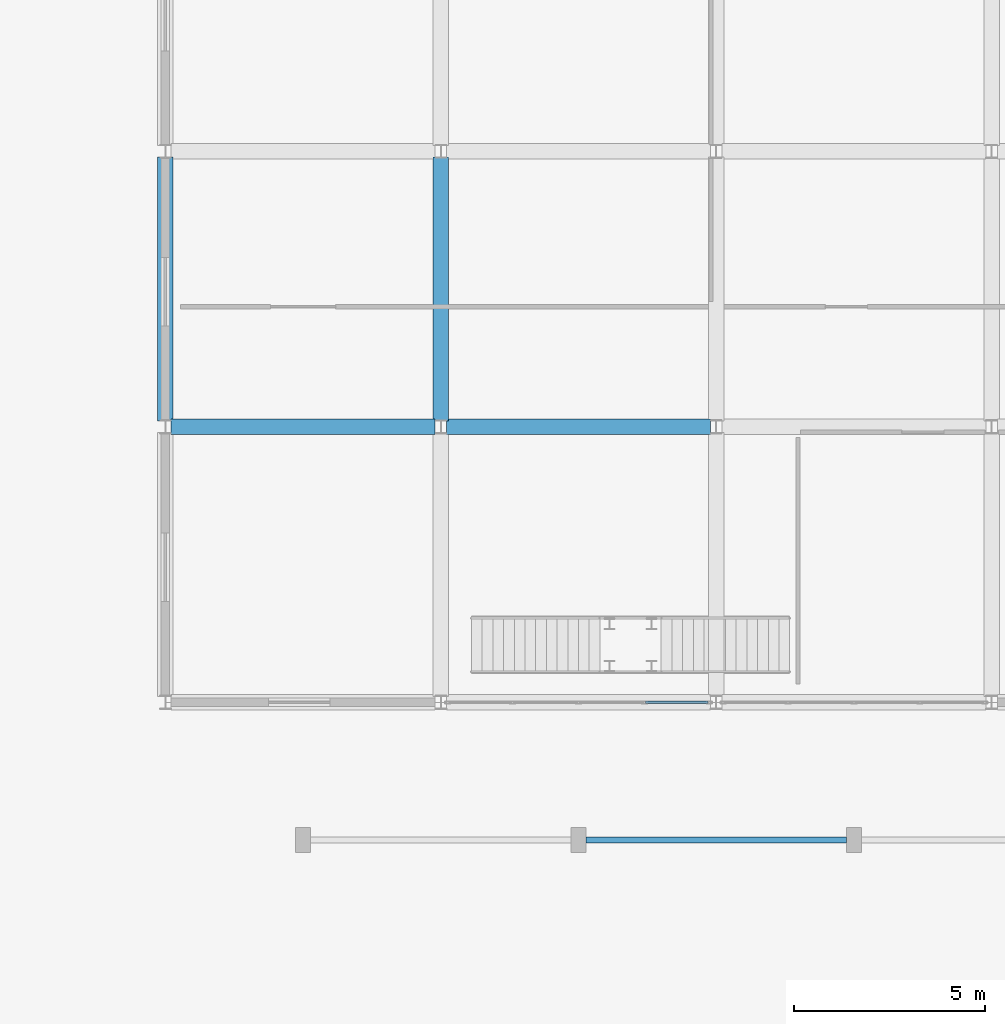
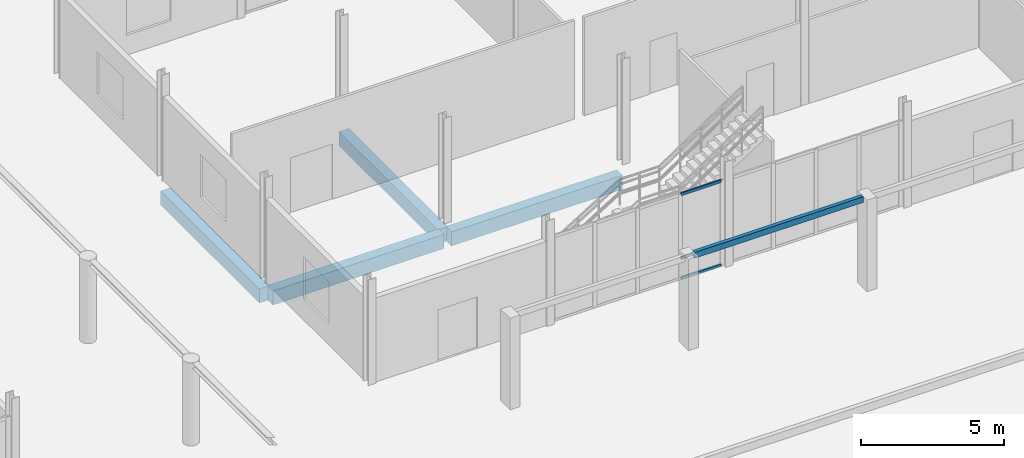
# One storey, part 78 of 139: 5 beams, 3 members, 1 element without a shape of its own.
"""IFC4 building model written with IfcOpenShell, lengths in metres."""

from ifc_helpers import new_model, si_unit, direction, frame, origin, origin_2d, place, context, subcontext, project, spatial, rectangle, hollow_rectangle, extrude, material, material_profile, profile_set, type_object, element, aggregate, save


model = new_model("IFC4")

# Units and contexts
model_context = context("Model", 3, precision=1e-05, world=origin(), true_north=direction((0.0, 1.0)))
body_context = subcontext(model_context, "Body", "Model", "MODEL_VIEW")
ifc_project = project(units=[si_unit("LENGTHUNIT", "METRE"), si_unit("AREAUNIT", "SQUARE_METRE"), si_unit("VOLUMEUNIT", "CUBIC_METRE"), si_unit("PLANEANGLEUNIT", "RADIAN"), si_unit("MASSUNIT", "GRAM", prefix="KILO")], contexts=[model_context])

# Site, building, storey
site_placement = place(None, origin())
site = spatial("IfcSite", under=ifc_project, at=site_placement, CompositionType="ELEMENT")
building_placement = place(site_placement, origin())
building = spatial("IfcBuilding", under=site, at=building_placement, Name="Suanplinth Sawtooth Commons", CompositionType="ELEMENT")
storey_placement = place(building_placement, origin())
storey = spatial("IfcBuildingStorey", under=building, at=storey_placement, Name="L00", CompositionType="ELEMENT", Elevation=0.0)

# Beams
ifc_material_1 = material(Name="Precast concrete C40/50", Category="concrete")
ifc_material_profile_1 = material_profile(ifc_material_1, rectangle(XDim=0.39990234375, YDim=0.60009765625, at=origin_2d()), Name="PC-GDR 400x600")
ifc_profile_set_1 = profile_set([ifc_material_profile_1], Name="Precast concrete C40/50")
beam_type_1 = type_object("IfcBeamType", Name="B-05", PredefinedType="USERDEFINED", material=ifc_profile_set_1)
beam_1_placement = place(storey_placement, frame((129.75, 57.60009765625, -0.719970703125), z_axis=(1.0, 0.0, 0.0), x_axis=(0.0, 1.0, 0.0)))
element("IfcBeam", 1, at=beam_1_placement, inside=storey, type_object=beam_type_1, Name="BMX-L00-NURS-18-8", ObjectType="GIRDER", PredefinedType="USERDEFINED", context=body_context, shape_type="SweptSolid", body=[
    extrude(rectangle(XDim=0.39990234375, YDim=0.60009765625, at=origin_2d()), origin(), (0.0, 0.0, 1.0), 6.89990234375),
])
beam_2_placement = place(storey_placement, frame((136.949951171875, 57.60009765625, -0.719970703125), z_axis=(1.0, 0.0, 0.0), x_axis=(0.0, 1.0, 0.0)))
element("IfcBeam", 2, at=beam_2_placement, inside=storey, type_object=beam_type_1, Name="BMX-L00-NURS-19-8", ObjectType="GIRDER", PredefinedType="USERDEFINED", context=body_context, shape_type="SweptSolid", body=[
    extrude(rectangle(XDim=0.39990234375, YDim=0.60009765625, at=origin_2d()), origin(), (0.0, 0.0, 1.0), 6.900146484375),
])
for number, where, z_axis, x_axis, name in (
    (3, (129.60009765625, 57.75, -0.719970703125), (0.0, 1.0, 0.0), (-1.0, 0.0, 0.0), "BMY-L00-NURS-18-8"),
    (4, (136.800048828125, 57.75, -0.719970703125), (0.0, 1.0, 0.0), (-1.0, 0.0, 0.0), "BMY-L00-NURS-19-8"),
):
    element("IfcBeam", number, at=place(storey_placement, frame(where, z_axis=z_axis, x_axis=x_axis)), inside=storey, type_object=beam_type_1, Name=name, ObjectType="GIRDER", PredefinedType="USERDEFINED", context=body_context, shape_type="SweptSolid", body=[
        extrude(rectangle(XDim=0.39990234375, YDim=0.60009765625, at=origin_2d()), origin(), (0.0, 0.0, 1.0), 6.89990234375),
    ])
ifc_material_2 = material(Name="Steel S355JR", Category="steel")
ifc_material_profile_2 = material_profile(ifc_material_2, hollow_rectangle(XDim=0.14990234375, YDim=0.25, WallThickness=0.010009765625, at=origin_2d()), Name="RHS 250x150x10")
ifc_profile_set_2 = profile_set([ifc_material_profile_2], Name="Steel S355JR")
beam_type_2 = type_object("IfcBeamType", Name="B-18", PredefinedType="BEAM", material=ifc_profile_set_2)
beam_3_placement = place(storey_placement, frame((140.60009765625, 46.800048828125, 3.77490234375), z_axis=(1.0, 0.0, 0.0), x_axis=(0.0, 1.0, 0.0)))
element("IfcBeam", 5, at=beam_3_placement, inside=storey, type_object=beam_type_2, Name="Nursery Veranda Edge Beam 2", PredefinedType="BEAM", context=body_context, shape_type="SweptSolid", body=[
    extrude(hollow_rectangle(XDim=0.14990234375, YDim=0.25, WallThickness=0.010009765625, at=origin_2d()), origin(), (0.0, 0.0, 1.0), 6.7998046875),
])

# Curtain wall, members
ifc_material_3 = material(Name="Anodized aluminium and low-E glazing", Category="aluminium")
curtain_wall_type = type_object("IfcCurtainWallType", Name="CW-02", PredefinedType="USERDEFINED", material=ifc_material_3)
curtain_wall_placement = place(storey_placement, origin())
curtain_wall = element("IfcCurtainWall", 6, at=curtain_wall_placement, inside=storey, type_object=curtain_wall_type, Name="Curtain Wall CW-L00-NURS-S-19", ObjectType="CURTAIN WALL", PredefinedType="USERDEFINED")
ifc_material_4 = material(Name="Anodized aluminium 6063-T6", Category="aluminium")
ifc_material_profile_3 = material_profile(ifc_material_4, hollow_rectangle(XDim=0.06494140625, YDim=0.1201171875, WallThickness=0.00390625, at=origin_2d()), Name="ALU-TRN 65x120")
ifc_profile_set_3 = profile_set([ifc_material_profile_3], Name="Anodized aluminium 6063-T6")
member_type = type_object("IfcMemberType", Name="M-15", PredefinedType="USERDEFINED", material=ifc_profile_set_3)
member_1_placement = place(storey_placement, frame((142.157470703125, 50.39990234375, 0.032470703125), z_axis=(1.0, 0.0, 0.0), x_axis=(0.0, 1.0, 0.0)))
member_1 = element("IfcMember", 7, at=member_1_placement, type_object=member_type, Name="CW-02 transom 4.1", ObjectType="TRANSOM", PredefinedType="USERDEFINED", context=body_context, shape_type="SweptSolid", body=[
    extrude(hollow_rectangle(XDim=0.06494140625, YDim=0.1201171875, WallThickness=0.00390625, at=origin_2d()), origin(), (0.0, 0.0, 1.0), 1.62744140625),
])
member_2_placement = place(storey_placement, frame((142.157470703125, 50.39990234375, 0.89990234375), z_axis=(1.0, 0.0, 0.0), x_axis=(0.0, 1.0, 0.0)))
member_2 = element("IfcMember", 8, at=member_2_placement, type_object=member_type, Name="CW-02 transom 4.2", ObjectType="TRANSOM", PredefinedType="USERDEFINED", context=body_context, shape_type="SweptSolid", body=[
    extrude(hollow_rectangle(XDim=0.06494140625, YDim=0.1201171875, WallThickness=0.00390625, at=origin_2d()), origin(), (0.0, 0.0, 1.0), 1.62744140625),
])
member_3_placement = place(storey_placement, frame((142.157470703125, 50.39990234375, 3.617431640625), z_axis=(1.0, 0.0, 0.0), x_axis=(0.0, 1.0, 0.0)))
member_3 = element("IfcMember", 9, at=member_3_placement, type_object=member_type, Name="CW-02 transom 4.3", ObjectType="TRANSOM", PredefinedType="USERDEFINED", context=body_context, shape_type="SweptSolid", body=[
    extrude(hollow_rectangle(XDim=0.06494140625, YDim=0.1201171875, WallThickness=0.00390625, at=origin_2d()), origin(), (0.0, 0.0, 1.0), 1.62744140625),
])
aggregate(curtain_wall, [member_1, member_2, member_3])

save(model, "model.ifc")
